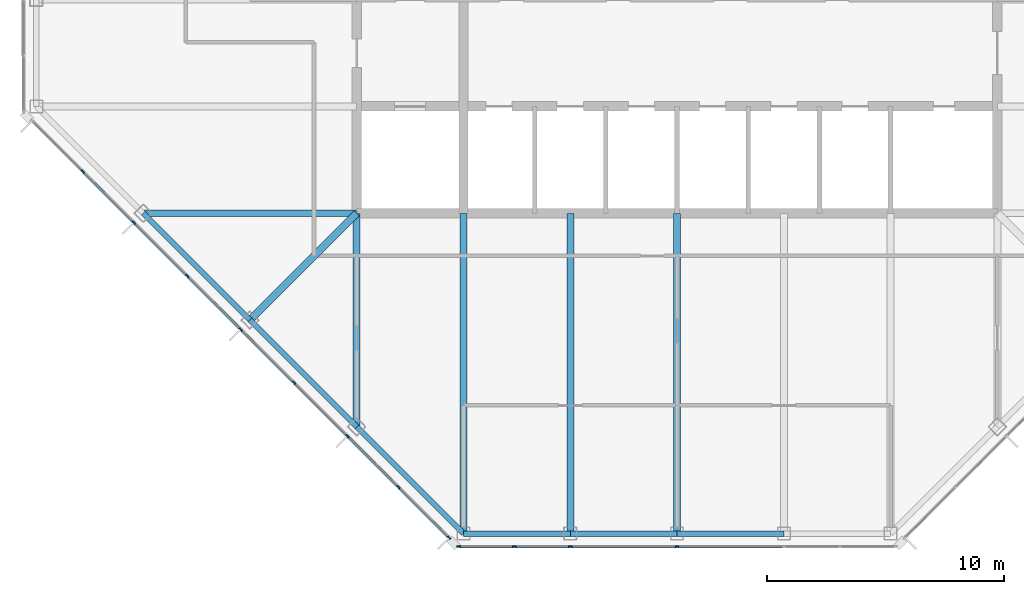
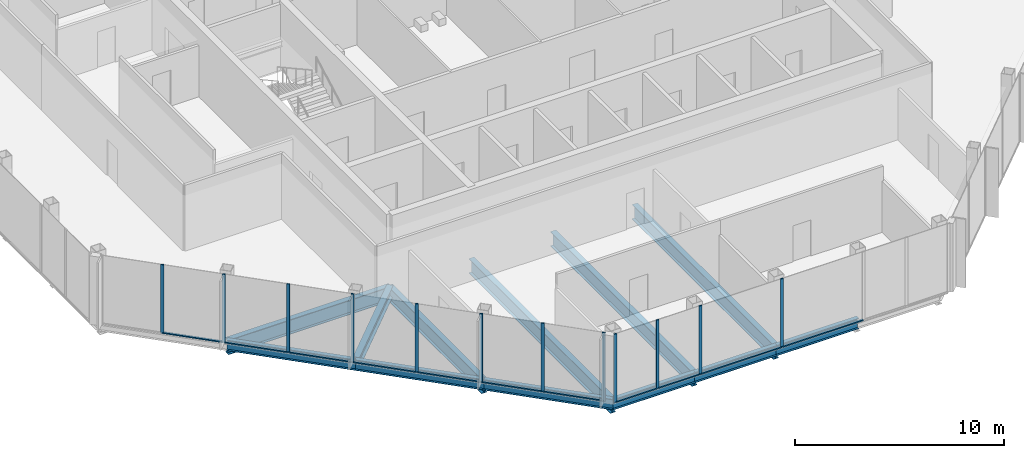
# One storey, part 2 of 13: 23 members, 12 beams, 2 elements without a shape of their own.
"""IFC4 building model written with IfcOpenShell, lengths in metres."""

from ifc_helpers import new_model, si_unit, direction, frame, origin, origin_2d, place, context, subcontext, project, spatial, rectangle, i_section, extrude, material, material_profile, profile_set, type_object, element, aggregate, save


model = new_model("IFC4")

# Units and contexts
model_context = context("Model", 3, precision=1e-05, world=origin(), true_north=direction((0.0, 1.0)))
body_context = subcontext(model_context, "Body", "Model", "MODEL_VIEW")
ifc_project = project(units=[si_unit("LENGTHUNIT", "METRE"), si_unit("AREAUNIT", "SQUARE_METRE"), si_unit("VOLUMEUNIT", "CUBIC_METRE"), si_unit("PLANEANGLEUNIT", "RADIAN"), si_unit("MASSUNIT", "GRAM", prefix="KILO")], contexts=[model_context])

# Site, building, storey
site_placement = place(None, origin())
site = spatial("IfcSite", under=ifc_project, at=site_placement, CompositionType="ELEMENT")
building_placement = place(site_placement, origin())
building = spatial("IfcBuilding", under=site, at=building_placement, Name="Corais Broadcast Tower", CompositionType="ELEMENT")
storey_placement = place(building_placement, frame((0.0, 0.0, 302.60009765625)))
storey = spatial("IfcBuildingStorey", under=building, at=storey_placement, Name="L71", CompositionType="ELEMENT", Elevation=302.60009765625)

# Beams
ifc_material_1 = material(Name="Steel ASTM A572 Grade 50", Category="steel")
ifc_material_profile_1 = material_profile(ifc_material_1, i_section(OverallWidth=0.323974609375, OverallDepth=0.611083984375, WebThickness=0.0126953125, FlangeThickness=0.01904296875, at=origin_2d()), Name="W610x155")
ifc_profile_set_1 = profile_set([ifc_material_profile_1], Name="Steel ASTM A572 Grade 50")
beam_type_1 = type_object("IfcBeamType", Name="Corner diagonal W610x155", PredefinedType="BEAM", material=ifc_profile_set_1)
beam_1_placement = place(storey_placement, frame((9.0, 9.0, -0.465576171875), z_axis=(0.707106781187, 0.707106781187, 0.0), x_axis=(-0.707106781187, 0.707106781187, 0.0)))
element("IfcBeam", 1, at=beam_1_placement, inside=storey, type_object=beam_type_1, Name="B6 C/5 to D/6", PredefinedType="BEAM", context=body_context, shape_type="SweptSolid", body=[
    extrude(i_section(OverallWidth=0.323974609375, OverallDepth=0.611083984375, WebThickness=0.0126953125, FlangeThickness=0.01904296875, at=origin_2d()), origin(), (0.0, 0.0, 1.0), 6.364013671875),
])
ifc_material_2 = material(Name="Steel ASTM A572 Grade 50", Category="steel")
ifc_material_profile_2 = material_profile(ifc_material_2, i_section(OverallWidth=0.2939453125, OverallDepth=0.85107421875, WebThickness=0.01611328125, FlangeThickness=0.02685546875, at=origin_2d()), Name="W840x226")
ifc_profile_set_2 = profile_set([ifc_material_profile_2], Name="Steel ASTM A572 Grade 50")
beam_type_2 = type_object("IfcBeamType", Name="Floor beam W840x226", PredefinedType="BEAM", material=ifc_profile_set_2)
beam_2_placement = place(storey_placement, frame((13.5, 4.5, -0.585693359375), z_axis=(0.0, 1.0, 0.0), x_axis=(-1.0, 0.0, 0.0)))
element("IfcBeam", 2, at=beam_2_placement, inside=storey, type_object=beam_type_2, Name="B1 B/6 to D/6", PredefinedType="BEAM", context=body_context, shape_type="SweptSolid", body=[
    extrude(i_section(OverallWidth=0.2939453125, OverallDepth=0.85107421875, WebThickness=0.01611328125, FlangeThickness=0.02685546875, at=origin_2d()), origin(), (0.0, 0.0, 1.0), 9.0),
])
for number, where, z_axis, x_axis, name in (
    (3, (18.0, 0.0, -0.585693359375), (0.0, 1.0, 0.0), (-1.0, 0.0, 0.0), "B1 A/7 to D/7"),
    (4, (22.5, 0.0, -0.585693359375), (0.0, 1.0, 0.0), (-1.0, 0.0, 0.0), "B1 A/8 to D/8"),
    (5, (27.0, 0.0, -0.585693359375), (0.0, 1.0, 0.0), (-1.0, 0.0, 0.0), "B1 A/9 to D/9"),
):
    element("IfcBeam", number, at=place(storey_placement, frame(where, z_axis=z_axis, x_axis=x_axis)), inside=storey, type_object=beam_type_2, Name=name, PredefinedType="BEAM", context=body_context, shape_type="SweptSolid", body=[
        extrude(i_section(OverallWidth=0.2939453125, OverallDepth=0.85107421875, WebThickness=0.01611328125, FlangeThickness=0.02685546875, at=origin_2d()), origin(), (0.0, 0.0, 1.0), 13.5),
    ])
beam_3_placement = place(storey_placement, frame((4.5, 13.5, -0.585693359375), z_axis=(1.0, 0.0, 0.0), x_axis=(0.0, 1.0, 0.0)))
element("IfcBeam", 6, at=beam_3_placement, inside=storey, type_object=beam_type_2, Name="B1 D/4 to D/6", PredefinedType="BEAM", context=body_context, shape_type="SweptSolid", body=[
    extrude(i_section(OverallWidth=0.2939453125, OverallDepth=0.85107421875, WebThickness=0.01611328125, FlangeThickness=0.02685546875, at=origin_2d()), origin(), (0.0, 0.0, 1.0), 9.0),
])

# Curtain wall, members
ifc_material_3 = material(Name="Aluminium and glass", Category="aluminium")
curtain_wall_type = type_object("IfcCurtainWallType", Name="Unitised fritted curtain wall CW3", PredefinedType="NOTDEFINED", material=ifc_material_3)
curtain_wall_1_placement = place(storey_placement, origin())
curtain_wall_1 = element("IfcCurtainWall", 7, at=curtain_wall_1_placement, inside=storey, type_object=curtain_wall_type, Name="CW3 curtain wall L71 1", PredefinedType="NOTDEFINED")
ifc_material_4 = material(Name="Aluminium 6063-T6", Category="aluminium")
ifc_material_profile_3 = material_profile(ifc_material_4, rectangle(XDim=0.06494140625, YDim=0.159912109375, at=origin_2d()), Name="Mullion CW3 65x160")
ifc_profile_set_3 = profile_set([ifc_material_profile_3], Name="Aluminium 6063-T6")
member_type_1 = type_object("IfcMemberType", Name="Mullion CW3 65x160", PredefinedType="MULLION", material=ifc_profile_set_3)
member_1_placement = place(storey_placement, frame((17.3955078125, -0.17333984375, 0.0), z_axis=(0.0, 0.0, 1.0), x_axis=(-0.707106781187, -0.707106781187, 0.0)))
member_1 = element("IfcMember", 8, at=member_1_placement, type_object=member_type_1, Name="CW3 mullion 1", PredefinedType="MULLION", context=body_context, shape_type="SweptSolid", body=[
    extrude(rectangle(XDim=0.06494140625, YDim=0.159912109375, at=origin_2d()), origin(), (0.0, 0.0, 1.0), 4.0),
])
member_2_placement = place(storey_placement, frame((15.264892578125, 1.957275390625, 0.0), z_axis=(0.0, 0.0, 1.0), x_axis=(-0.707106781187, -0.707106781187, 0.0)))
member_2 = element("IfcMember", 9, at=member_2_placement, type_object=member_type_1, Name="CW3 mullion 2", PredefinedType="MULLION", context=body_context, shape_type="SweptSolid", body=[
    extrude(rectangle(XDim=0.06494140625, YDim=0.159912109375, at=origin_2d()), origin(), (0.0, 0.0, 1.0), 4.0),
])
member_3_placement = place(storey_placement, frame((13.111083984375, 4.111083984375, 0.0), z_axis=(0.0, 0.0, 1.0), x_axis=(-0.707106781187, -0.707106781187, 0.0)))
member_3 = element("IfcMember", 10, at=member_3_placement, type_object=member_type_1, Name="CW3 mullion 3", PredefinedType="MULLION", context=body_context, shape_type="SweptSolid", body=[
    extrude(rectangle(XDim=0.06494140625, YDim=0.159912109375, at=origin_2d()), origin(), (0.0, 0.0, 1.0), 4.0),
])
member_4_placement = place(storey_placement, frame((10.861083984375, 6.361083984375, 0.0), z_axis=(0.0, 0.0, 1.0), x_axis=(-0.707106781187, -0.707106781187, 0.0)))
member_4 = element("IfcMember", 11, at=member_4_placement, type_object=member_type_1, Name="CW3 mullion 4", PredefinedType="MULLION", context=body_context, shape_type="SweptSolid", body=[
    extrude(rectangle(XDim=0.06494140625, YDim=0.159912109375, at=origin_2d()), origin(), (0.0, 0.0, 1.0), 4.0),
])
member_5_placement = place(storey_placement, frame((8.611083984375, 8.611083984375, 0.0), z_axis=(0.0, 0.0, 1.0), x_axis=(-0.707106781187, -0.707106781187, 0.0)))
member_5 = element("IfcMember", 12, at=member_5_placement, type_object=member_type_1, Name="CW3 mullion 5", PredefinedType="MULLION", context=body_context, shape_type="SweptSolid", body=[
    extrude(rectangle(XDim=0.06494140625, YDim=0.159912109375, at=origin_2d()), origin(), (0.0, 0.0, 1.0), 4.0),
])
member_6_placement = place(storey_placement, frame((6.361083984375, 10.861083984375, 0.0), z_axis=(0.0, 0.0, 1.0), x_axis=(-0.707106781187, -0.707106781187, 0.0)))
member_6 = element("IfcMember", 13, at=member_6_placement, type_object=member_type_1, Name="CW3 mullion 6", PredefinedType="MULLION", context=body_context, shape_type="SweptSolid", body=[
    extrude(rectangle(XDim=0.06494140625, YDim=0.159912109375, at=origin_2d()), origin(), (0.0, 0.0, 1.0), 4.0),
])
member_7_placement = place(storey_placement, frame((4.111083984375, 13.111083984375, 0.0), z_axis=(0.0, 0.0, 1.0), x_axis=(-0.707106781187, -0.707106781187, 0.0)))
member_7 = element("IfcMember", 14, at=member_7_placement, type_object=member_type_1, Name="CW3 mullion 7", PredefinedType="MULLION", context=body_context, shape_type="SweptSolid", body=[
    extrude(rectangle(XDim=0.06494140625, YDim=0.159912109375, at=origin_2d()), origin(), (0.0, 0.0, 1.0), 4.0),
])
member_8_placement = place(storey_placement, frame((1.957275390625, 15.264892578125, 0.0), z_axis=(0.0, 0.0, 1.0), x_axis=(-0.707106781187, -0.707106781187, 0.0)))
member_8 = element("IfcMember", 15, at=member_8_placement, type_object=member_type_1, Name="CW3 mullion 8", PredefinedType="MULLION", context=body_context, shape_type="SweptSolid", body=[
    extrude(rectangle(XDim=0.06494140625, YDim=0.159912109375, at=origin_2d()), origin(), (0.0, 0.0, 1.0), 4.0),
])

curtain_wall_2_placement = place(storey_placement, origin())
curtain_wall_2 = element("IfcCurtainWall", 16, at=curtain_wall_2_placement, inside=storey, type_object=curtain_wall_type, Name="CW3 curtain wall L71 8", PredefinedType="NOTDEFINED")
member_9_placement = place(storey_placement, frame((27.0, -0.550048828125, 0.0), z_axis=(0.0, 0.0, 1.0), x_axis=(0.0, -1.0, 0.0)))
member_9 = element("IfcMember", 17, at=member_9_placement, type_object=member_type_1, Name="CW3 mullion 4", PredefinedType="MULLION", context=body_context, shape_type="SweptSolid", body=[
    extrude(rectangle(XDim=0.06494140625, YDim=0.159912109375, at=origin_2d()), origin(), (0.0, 0.0, 1.0), 4.0),
])
member_10_placement = place(storey_placement, frame((22.5, -0.550048828125, 0.0), z_axis=(0.0, 0.0, 1.0), x_axis=(0.0, -1.0, 0.0)))
member_10 = element("IfcMember", 18, at=member_10_placement, type_object=member_type_1, Name="CW3 mullion 5", PredefinedType="MULLION", context=body_context, shape_type="SweptSolid", body=[
    extrude(rectangle(XDim=0.06494140625, YDim=0.159912109375, at=origin_2d()), origin(), (0.0, 0.0, 1.0), 4.0),
])
member_11_placement = place(storey_placement, frame((20.135986328125, -0.550048828125, 0.0), z_axis=(0.0, 0.0, 1.0), x_axis=(0.0, -1.0, 0.0)))
member_11 = element("IfcMember", 19, at=member_11_placement, type_object=member_type_1, Name="CW3 mullion 6", PredefinedType="MULLION", context=body_context, shape_type="SweptSolid", body=[
    extrude(rectangle(XDim=0.06494140625, YDim=0.159912109375, at=origin_2d()), origin(), (0.0, 0.0, 1.0), 4.0),
])
member_12_placement = place(storey_placement, frame((17.8046875, -0.550048828125, 0.0), z_axis=(0.0, 0.0, 1.0), x_axis=(0.0, -1.0, 0.0)))
member_12 = element("IfcMember", 20, at=member_12_placement, type_object=member_type_1, Name="CW3 mullion 7", PredefinedType="MULLION", context=body_context, shape_type="SweptSolid", body=[
    extrude(rectangle(XDim=0.06494140625, YDim=0.159912109375, at=origin_2d()), origin(), (0.0, 0.0, 1.0), 4.0),
])

# Beams
ifc_material_5 = material(Name="Steel ASTM A572 Grade 50", Category="steel")
ifc_material_profile_4 = material_profile(ifc_material_5, i_section(OverallWidth=0.22998046875, OverallDepth=0.616943359375, WebThickness=0.01318359375, FlangeThickness=0.022216796875, at=origin_2d()), Name="W610x140")
ifc_profile_set_4 = profile_set([ifc_material_profile_4], Name="Steel ASTM A572 Grade 50")
beam_type_3 = type_object("IfcBeamType", Name="Spandrel W610x140", PredefinedType="BEAM", material=ifc_profile_set_4)
beam_4_placement = place(storey_placement, frame((13.5, 4.5, -0.468505859375), z_axis=(0.707106781187, -0.707106781187, 0.0), x_axis=(0.707106781187, 0.707106781187, 0.0)))
element("IfcBeam", 21, at=beam_4_placement, inside=storey, type_object=beam_type_3, Name="SB3 B/6 to A/7", PredefinedType="BEAM", context=body_context, shape_type="SweptSolid", body=[
    extrude(i_section(OverallWidth=0.22998046875, OverallDepth=0.616943359375, WebThickness=0.01318359375, FlangeThickness=0.022216796875, at=origin_2d()), origin(), (0.0, 0.0, 1.0), 6.364013671875),
])
for number, where, z_axis, x_axis, name in (
    (22, (18.0, 0.0, -0.468505859375), (1.0, 0.0, 0.0), (0.0, 1.0, 0.0), "SB3 A/7 to A/8"),
    (23, (22.5, 0.0, -0.468505859375), (1.0, 0.0, 0.0), (0.0, 1.0, 0.0), "SB3 A/8 to A/9"),
    (24, (27.0, 0.0, -0.468505859375), (1.0, 0.0, 0.0), (0.0, 1.0, 0.0), "SB3 A/9 to A/10"),
):
    element("IfcBeam", number, at=place(storey_placement, frame(where, z_axis=z_axis, x_axis=x_axis)), inside=storey, type_object=beam_type_3, Name=name, PredefinedType="BEAM", context=body_context, shape_type="SweptSolid", body=[
        extrude(i_section(OverallWidth=0.22998046875, OverallDepth=0.616943359375, WebThickness=0.01318359375, FlangeThickness=0.022216796875, at=origin_2d()), origin(), (0.0, 0.0, 1.0), 4.5),
    ])
for number, where, z_axis, x_axis, name in (
    (25, (4.5, 13.5, -0.468505859375), (0.707106781187, -0.707106781187, 0.0), (0.707106781187, 0.707106781187, 0.0), "SB3 D/4 to C/5"),
    (26, (9.0, 9.0, -0.468505859375), (0.707106781187, -0.707106781187, 0.0), (0.707106781187, 0.707106781187, 0.0), "SB3 C/5 to B/6"),
):
    element("IfcBeam", number, at=place(storey_placement, frame(where, z_axis=z_axis, x_axis=x_axis)), inside=storey, type_object=beam_type_3, Name=name, PredefinedType="BEAM", context=body_context, shape_type="SweptSolid", body=[
        extrude(i_section(OverallWidth=0.22998046875, OverallDepth=0.616943359375, WebThickness=0.01318359375, FlangeThickness=0.022216796875, at=origin_2d()), origin(), (0.0, 0.0, 1.0), 6.364013671875),
    ])

# Member
ifc_material_6 = material(Name="Aluminium 6063-T6", Category="aluminium")
ifc_material_profile_5 = material_profile(ifc_material_6, rectangle(XDim=0.1201171875, YDim=0.06494140625, at=origin_2d()), Name="Transom CW3 65x120")
ifc_profile_set_5 = profile_set([ifc_material_profile_5], Name="Aluminium 6063-T6")
member_type_2 = type_object("IfcMemberType", Name="Transom CW3 65x120", PredefinedType="USERDEFINED", material=ifc_profile_set_5)
member_13_placement = place(storey_placement, frame((17.37255859375, -0.150390625, 0.032470703125), z_axis=(-0.707106781187, 0.707106781187, 0.0), x_axis=(-0.707106781187, -0.707106781187, 0.0)))
member_13 = element("IfcMember", 27, at=member_13_placement, type_object=member_type_2, Name="CW3 transom 1.1", ObjectType="TRANSOM", PredefinedType="USERDEFINED", context=body_context, shape_type="SweptSolid", body=[
    extrude(rectangle(XDim=0.1201171875, YDim=0.06494140625, at=origin_2d()), origin(), (0.0, 0.0, 1.0), 2.9482421875),
])

member_14_placement = place(storey_placement, frame((15.241943359375, 1.980224609375, 0.032470703125), z_axis=(-0.707106781187, 0.707106781187, 0.0), x_axis=(-0.707106781187, -0.707106781187, 0.0)))
member_14 = element("IfcMember", 28, at=member_14_placement, type_object=member_type_2, Name="CW3 transom 2.1", ObjectType="TRANSOM", PredefinedType="USERDEFINED", context=body_context, shape_type="SweptSolid", body=[
    extrude(rectangle(XDim=0.1201171875, YDim=0.06494140625, at=origin_2d()), origin(), (0.0, 0.0, 1.0), 2.98095703125),
])

member_15_placement = place(storey_placement, frame((13.088134765625, 4.134033203125, 0.032470703125), z_axis=(-0.707106781187, 0.707106781187, 0.0), x_axis=(-0.707106781187, -0.707106781187, 0.0)))
member_15 = element("IfcMember", 29, at=member_15_placement, type_object=member_type_2, Name="CW3 transom 3.1", ObjectType="TRANSOM", PredefinedType="USERDEFINED", context=body_context, shape_type="SweptSolid", body=[
    extrude(rectangle(XDim=0.1201171875, YDim=0.06494140625, at=origin_2d()), origin(), (0.0, 0.0, 1.0), 3.1171875),
])

member_16_placement = place(storey_placement, frame((10.838134765625, 6.384033203125, 0.032470703125), z_axis=(-0.707106781187, 0.707106781187, 0.0), x_axis=(-0.707106781187, -0.707106781187, 0.0)))
member_16 = element("IfcMember", 30, at=member_16_placement, type_object=member_type_2, Name="CW3 transom 4.1", ObjectType="TRANSOM", PredefinedType="USERDEFINED", context=body_context, shape_type="SweptSolid", body=[
    extrude(rectangle(XDim=0.1201171875, YDim=0.06494140625, at=origin_2d()), origin(), (0.0, 0.0, 1.0), 3.1171875),
])

member_17_placement = place(storey_placement, frame((8.588134765625, 8.634033203125, 0.032470703125), z_axis=(-0.707106781187, 0.707106781187, 0.0), x_axis=(-0.707106781187, -0.707106781187, 0.0)))
member_17 = element("IfcMember", 31, at=member_17_placement, type_object=member_type_2, Name="CW3 transom 5.1", ObjectType="TRANSOM", PredefinedType="USERDEFINED", context=body_context, shape_type="SweptSolid", body=[
    extrude(rectangle(XDim=0.1201171875, YDim=0.06494140625, at=origin_2d()), origin(), (0.0, 0.0, 1.0), 3.1171875),
])

member_18_placement = place(storey_placement, frame((6.338134765625, 10.884033203125, 0.032470703125), z_axis=(-0.707106781187, 0.707106781187, 0.0), x_axis=(-0.707106781187, -0.707106781187, 0.0)))
member_18 = element("IfcMember", 32, at=member_18_placement, type_object=member_type_2, Name="CW3 transom 6.1", ObjectType="TRANSOM", PredefinedType="USERDEFINED", context=body_context, shape_type="SweptSolid", body=[
    extrude(rectangle(XDim=0.1201171875, YDim=0.06494140625, at=origin_2d()), origin(), (0.0, 0.0, 1.0), 3.1171875),
])

member_19_placement = place(storey_placement, frame((4.088134765625, 13.134033203125, 0.032470703125), z_axis=(-0.707065828661, 0.70714773134, 0.0), x_axis=(-0.70714773134, -0.707065828661, 0.0)))
member_19 = element("IfcMember", 33, at=member_19_placement, type_object=member_type_2, Name="CW3 transom 7.1", ObjectType="TRANSOM", PredefinedType="USERDEFINED", context=body_context, shape_type="SweptSolid", body=[
    extrude(rectangle(XDim=0.1201171875, YDim=0.06494140625, at=origin_2d()), origin(), (0.0, 0.0, 1.0), 2.98095703125),
])

aggregate(curtain_wall_1, [member_1, member_2, member_3, member_4, member_5, member_6, member_7, member_8, member_13, member_14, member_15, member_16, member_17, member_18, member_19])

member_20_placement = place(storey_placement, frame((31.467529296875, -0.550048828125, 0.032470703125), z_axis=(-1.0, 0.0, 0.0), x_axis=(0.0, -1.0, 0.0)))
member_20 = element("IfcMember", 34, at=member_20_placement, type_object=member_type_2, Name="CW3 transom 3.1", ObjectType="TRANSOM", PredefinedType="USERDEFINED", context=body_context, shape_type="SweptSolid", body=[
    extrude(rectangle(XDim=0.1201171875, YDim=0.06494140625, at=origin_2d()), origin(), (0.0, 0.0, 1.0), 4.43505859375),
])

member_21_placement = place(storey_placement, frame((26.967529296875, -0.550048828125, 0.032470703125), z_axis=(-1.0, 0.0, 0.0), x_axis=(0.0, -1.0, 0.0)))
member_21 = element("IfcMember", 35, at=member_21_placement, type_object=member_type_2, Name="CW3 transom 4.1", ObjectType="TRANSOM", PredefinedType="USERDEFINED", context=body_context, shape_type="SweptSolid", body=[
    extrude(rectangle(XDim=0.1201171875, YDim=0.06494140625, at=origin_2d()), origin(), (0.0, 0.0, 1.0), 4.43505859375),
])

member_22_placement = place(storey_placement, frame((22.467529296875, -0.550048828125, 0.032470703125), z_axis=(-1.0, 0.0, 0.0), x_axis=(0.0, -1.0, 0.0)))
member_22 = element("IfcMember", 36, at=member_22_placement, type_object=member_type_2, Name="CW3 transom 5.1", ObjectType="TRANSOM", PredefinedType="USERDEFINED", context=body_context, shape_type="SweptSolid", body=[
    extrude(rectangle(XDim=0.1201171875, YDim=0.06494140625, at=origin_2d()), origin(), (0.0, 0.0, 1.0), 2.298828125),
])

member_23_placement = place(storey_placement, frame((20.103515625, -0.550048828125, 0.032470703125), z_axis=(-1.0, 0.0, 0.0), x_axis=(0.0, -1.0, 0.0)))
member_23 = element("IfcMember", 37, at=member_23_placement, type_object=member_type_2, Name="CW3 transom 6.1", ObjectType="TRANSOM", PredefinedType="USERDEFINED", context=body_context, shape_type="SweptSolid", body=[
    extrude(rectangle(XDim=0.1201171875, YDim=0.06494140625, at=origin_2d()), origin(), (0.0, 0.0, 1.0), 2.266357421875),
])

aggregate(curtain_wall_2, [member_9, member_10, member_11, member_12, member_20, member_21, member_22, member_23])

save(model, "model.ifc")
